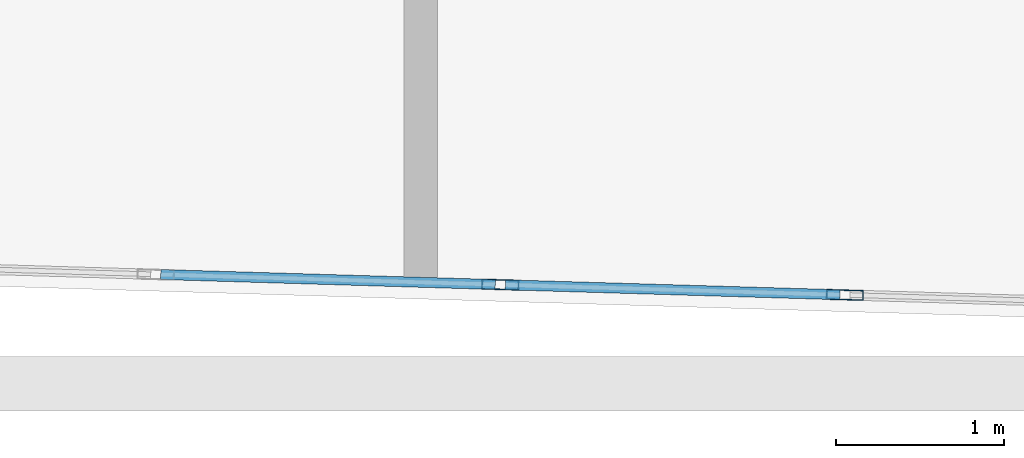
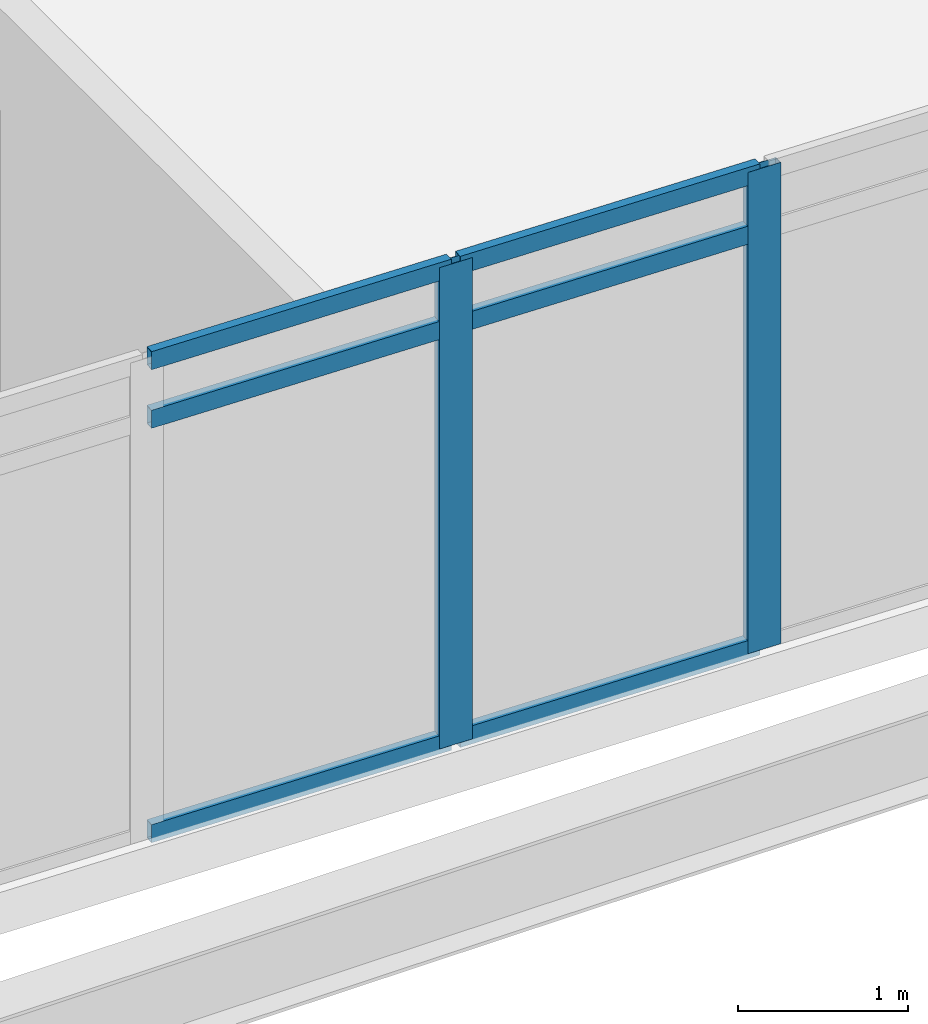
# One storey, part 5 of 37: 8 members, 1 element without a shape of its own.
"""IFC4 building model written with IfcOpenShell, lengths in metres."""

import ifcopenshell
import ifcopenshell.guid

model = None  # the IFC model being written
_history = None  # IfcOwnerHistory: only IFC2X3 demands one
_inside = {}  # id of a spatial element -> (the spatial element, [elements in it])
_under = {}  # id of a project, library or spatial element -> (it, [spatial elements below it])
_declared = {}  # id of a project -> (the project, [libraries it declares])
_typed = {}  # id of a type object -> (the type object, [elements of that type])
_made_of = {}  # id of a material, layer set ... -> (it, [elements and type objects made of it])


def new_model(schema):
    """Start an empty IFC model of exactly this schema.

    Asked for "IFC4X3", IfcOpenShell would pick the latest addendum, in which some entities
    have other attributes; the version numbers below select the first issue.
    IFC2X3 requires an IfcOwnerHistory on every rooted entity: one is made here for all.
    """
    global model, _history
    if schema == "IFC4X3":
        model = ifcopenshell.file(schema_version=(4, 3, 0, 0))
    else:
        model = ifcopenshell.file(schema=schema)
    _inside.clear()
    _under.clear()
    _declared.clear()
    _typed.clear()
    _made_of.clear()
    _history = None
    if model.schema == "IFC2X3":
        org = make("IfcOrganization", Name="unknown")
        user = make(
            "IfcPersonAndOrganization",
            ThePerson=make("IfcPerson", FamilyName="unknown"),
            TheOrganization=org,
        )
        app = make(
            "IfcApplication",
            ApplicationDeveloper=org,
            Version="unknown",
            ApplicationFullName="unknown",
            ApplicationIdentifier="unknown",
        )
        _history = make(
            "IfcOwnerHistory",
            OwningUser=user,
            OwningApplication=app,
            ChangeAction="ADDED",
            CreationDate=0,
        )
    return model


def make(cls, **values):
    """One entity of the class cls with the attributes given. An attribute that is None is left unset."""
    return model.create_entity(
        cls, **{name: value for name, value in values.items() if value is not None}
    )


def rooted(cls, **values):
    """An entity with a GlobalId (a new one), such as an element, a storey or a relation."""
    return make(cls, GlobalId=ifcopenshell.guid.new(), OwnerHistory=_history, **values)


def si_unit(unit_type, name, prefix=None):
    """IfcSIUnit, for example si_unit("LENGTHUNIT", "METRE", prefix="MILLI")."""
    return make("IfcSIUnit", UnitType=unit_type, Prefix=prefix, Name=name)


def assignment(units):
    """IfcUnitAssignment: the units of a project."""
    return None if units is None else make("IfcUnitAssignment", Units=units)


def point(xyz):
    """IfcCartesianPoint."""
    return None if xyz is None else make("IfcCartesianPoint", Coordinates=xyz)


def direction(xyz):
    """IfcDirection."""
    return None if xyz is None else make("IfcDirection", DirectionRatios=xyz)


def frame(location, z_axis=None, x_axis=None):
    """IfcAxis2Placement3D, a coordinate frame: its origin and axes. An axis left out is left unset."""
    return make(
        "IfcAxis2Placement3D",
        Location=point(location),
        Axis=direction(z_axis),
        RefDirection=direction(x_axis),
    )


def frame_2d(location, x_axis=None):
    """IfcAxis2Placement2D, a coordinate frame in the plane: its origin and x axis."""
    return make(
        "IfcAxis2Placement2D", Location=point(location), RefDirection=direction(x_axis)
    )


def origin():
    """The frame at (0, 0, 0) with its axes left unset."""
    return frame((0.0, 0.0, 0.0))


def origin_2d():
    """The frame at (0, 0) in the plane with its x axis left unset."""
    return frame_2d((0.0, 0.0))


def place(relative_to, where):
    """IfcLocalPlacement: puts the frame where relative to a parent placement (None: the world)."""
    return make(
        "IfcLocalPlacement", PlacementRelTo=relative_to, RelativePlacement=where
    )


def context(
    kind, dimensions, precision=None, world=None, true_north=None, identifier=None
):
    """IfcGeometricRepresentationContext, for example the 3D "Model" context."""
    return make(
        "IfcGeometricRepresentationContext",
        ContextIdentifier=identifier,
        ContextType=kind,
        CoordinateSpaceDimension=dimensions,
        Precision=precision,
        WorldCoordinateSystem=world,
        TrueNorth=true_north,
    )


def subcontext(parent, identifier, kind, view, scale=None):
    """IfcGeometricRepresentationSubContext, for example "Body" below "Model"."""
    return make(
        "IfcGeometricRepresentationSubContext",
        ContextIdentifier=identifier,
        ContextType=kind,
        ParentContext=parent,
        TargetScale=scale,
        TargetView=view,
    )


def project(units=None, contexts=None):
    """IfcProject with its units and contexts."""
    return rooted(
        "IfcProject",
        Name="project",
        RepresentationContexts=contexts,
        UnitsInContext=assignment(units),
    )


def spatial(cls, under=None, at=None, **own):
    """A site, building, storey or space (cls), placed at a placement, below another one or the project."""
    s = rooted(cls, ObjectPlacement=at, **own)
    if under is not None:
        _under.setdefault(under.id(), (under, []))[1].append(s)
    return s


def profile(cls, at=None, kind="AREA", **sizes):
    """A parametric profile (cls). Its sizes go by their IFC names, for example OverallWidth=200.0."""
    return make(cls, ProfileType=kind, Position=at, **sizes)


def hollow_rectangle(**sizes):
    """IfcRectangleHollowProfileDef."""
    return profile("IfcRectangleHollowProfileDef", **sizes)


def extrude(swept, where, along, depth):
    """IfcExtrudedAreaSolid: the profile swept, set in the frame where, extruded along a direction by depth."""
    return make(
        "IfcExtrudedAreaSolid",
        SweptArea=swept,
        Position=where,
        ExtrudedDirection=direction(along),
        Depth=depth,
    )


def shape(context_of_items, identifier, shape_type, items):
    """IfcShapeRepresentation: the items that make up one representation, for example the "Body"."""
    return make(
        "IfcShapeRepresentation",
        ContextOfItems=context_of_items,
        RepresentationIdentifier=identifier,
        RepresentationType=shape_type,
        Items=items,
    )


def material(Name=None, Category=None):
    """IfcMaterial."""
    return make("IfcMaterial", Name=Name, Category=Category)


def material_profile(
    of_material, cross_section, Name=None, Category=None, Priority=None
):
    """IfcMaterialProfile: a cross section and its material."""
    return make(
        "IfcMaterialProfile",
        Name=Name,
        Material=of_material,
        Profile=cross_section,
        Priority=Priority,
        Category=Category,
    )


def profile_set(profiles, Name=None, composite=None):
    """IfcMaterialProfileSet."""
    return make(
        "IfcMaterialProfileSet",
        Name=Name,
        MaterialProfiles=profiles,
        CompositeProfile=composite,
    )


def made_of(thing, what):
    """Note that an element or type object is made of a material, layer set ...; save() writes the relation."""
    if what is not None:
        _made_of.setdefault(what.id(), (what, []))[1].append(thing)
    return thing


def type_object(cls, material=None, **own):
    """A type object (cls), such as IfcWallType, which elements share."""
    return made_of(rooted(cls, **own), material)


def element(
    cls,
    number,
    at=None,
    inside=None,
    cuts=None,
    type_object=None,
    material=None,
    context=None,
    identifier="Body",
    shape_type=None,
    held_by="IfcProductDefinitionShape",
    body=None,
    shapes=None,
    **own,
):
    """One element of the class cls, such as IfcWall. Its Tag is "e" and its number.

    at: its placement. inside: the storey or other place that contains it. cuts: it is an
    opening in that element (IfcRelVoidsElement). A single representation is given by context,
    identifier, shape_type and body (its items); several are given by shapes. held_by: the class
    of the entity that holds the representations. save() writes the other relations.
    """
    e = rooted(cls, Tag="e%d" % number, ObjectPlacement=at, **own)
    if body is not None:
        shapes = [shape(context, identifier, shape_type, body)]
    if shapes is not None:
        e.Representation = make(held_by, Representations=shapes)
    if inside is not None:
        _inside.setdefault(inside.id(), (inside, []))[1].append(e)
    if cuts is not None:
        rooted(
            "IfcRelVoidsElement", RelatingBuildingElement=cuts, RelatedOpeningElement=e
        )
    if type_object is not None:
        _typed.setdefault(type_object.id(), (type_object, []))[1].append(e)
    return made_of(e, material)


def aggregate(whole, parts):
    """IfcRelAggregates: a whole, such as a stair, and the parts it consists of."""
    return rooted("IfcRelAggregates", RelatingObject=whole, RelatedObjects=parts)


def save(model, path):
    """Write the relations noted so far, then the file.

    IfcRelAggregates (storeys below a building ...), IfcRelContainedInSpatialStructure (elements
    in a storey), IfcRelDefinesByType, IfcRelAssociatesMaterial and IfcRelDeclares: one each for
    every whole, place, type object, material and project.
    """
    for whole, parts in _under.values():
        aggregate(whole, parts)
    for where, things in _inside.values():
        rooted(
            "IfcRelContainedInSpatialStructure",
            RelatedElements=things,
            RelatingStructure=where,
        )
    for kind, things in _typed.values():
        rooted("IfcRelDefinesByType", RelatedObjects=things, RelatingType=kind)
    for what, things in _made_of.values():
        rooted("IfcRelAssociatesMaterial", RelatedObjects=things, RelatingMaterial=what)
    for by, libraries in _declared.values():
        rooted("IfcRelDeclares", RelatingContext=by, RelatedDefinitions=libraries)
    model.write(path)


model = new_model("IFC4")

# Units and contexts
model_context = context("Model", 3, precision=1e-05, world=origin(), true_north=direction((0.0, 1.0)))
body_context = subcontext(model_context, "Body", "Model", "MODEL_VIEW")
ifc_project = project(units=[si_unit("LENGTHUNIT", "METRE"), si_unit("AREAUNIT", "SQUARE_METRE"), si_unit("VOLUMEUNIT", "CUBIC_METRE"), si_unit("PLANEANGLEUNIT", "RADIAN"), si_unit("MASSUNIT", "GRAM", prefix="KILO")], contexts=[model_context])

# Site, building, storey
site_placement = place(None, origin())
site = spatial("IfcSite", under=ifc_project, at=site_placement, CompositionType="ELEMENT")
building_placement = place(site_placement, origin())
building = spatial("IfcBuilding", under=site, at=building_placement, Name="Ostrander Bayou Hotel Tower", CompositionType="ELEMENT")
storey_placement = place(building_placement, frame((0.0, 0.0, 93.0)))
storey = spatial("IfcBuildingStorey", under=building, at=storey_placement, Name="L23", CompositionType="ELEMENT", Elevation=93.0)

# Curtain wall, members
ifc_material_1 = material(Name="Aluminium and clear glass", Category="aluminium")
curtain_wall_type = type_object("IfcCurtainWallType", Name="CW-BAR glazed wall", PredefinedType="NOTDEFINED", material=ifc_material_1)
curtain_wall_placement = place(storey_placement, origin())
curtain_wall = element("IfcCurtainWall", 1, at=curtain_wall_placement, inside=storey, type_object=curtain_wall_type, Name="CW-BAR L23:SB2S:T", PredefinedType="NOTDEFINED")
ifc_material_2 = material(Name="Aluminium", Category="aluminium")
ifc_material_profile_1 = material_profile(ifc_material_2, hollow_rectangle(XDim=0.06005859375, YDim=0.219970703125, WallThickness=0.00390625, at=origin_2d()))
ifc_profile_set_1 = profile_set([ifc_material_profile_1], Name="Aluminium")
member_type_1 = type_object("IfcMemberType", Name="CW-BR mullion 60 x 220 mm", PredefinedType="MULLION", material=ifc_profile_set_1)
member_1_placement = place(storey_placement, frame((-3.084716796875, -31.608154296875, 0.0), z_axis=(0.0, 0.0, 1.0), x_axis=(0.029746242041, 0.999557482631, 0.0)))
member_1 = element("IfcMember", 2, at=member_1_placement, type_object=member_type_1, Name="CW-BAR mullion 6", PredefinedType="MULLION", context=body_context, shape_type="SweptSolid", body=[
    extrude(hollow_rectangle(XDim=0.06005859375, YDim=0.219970703125, WallThickness=0.00390625, at=origin_2d()), origin(), (0.0, 0.0, 1.0), 3.449951171875),
])
member_2_placement = place(storey_placement, frame((-1.0283203125, -31.66943359375, 0.0), z_axis=(0.0, 0.0, 1.0), x_axis=(0.029746242041, 0.999557482631, 0.0)))
member_2 = element("IfcMember", 3, at=member_2_placement, type_object=member_type_1, Name="CW-BAR mullion 7", PredefinedType="MULLION", context=body_context, shape_type="SweptSolid", body=[
    extrude(hollow_rectangle(XDim=0.06005859375, YDim=0.219970703125, WallThickness=0.00390625, at=origin_2d()), origin(), (0.0, 0.0, 1.0), 3.449951171875),
])
ifc_material_3 = material(Name="Aluminium", Category="aluminium")
ifc_material_profile_2 = material_profile(ifc_material_3, hollow_rectangle(XDim=0.06005859375, YDim=0.1298828125, WallThickness=0.00390625, at=origin_2d()))
ifc_profile_set_2 = profile_set([ifc_material_profile_2], Name="Aluminium")
member_type_2 = type_object("IfcMemberType", Name="CW-BR transom 60 x 130 mm", PredefinedType="USERDEFINED", material=ifc_profile_set_2)
member_3_placement = place(storey_placement, frame((-5.111328125, -31.5478515625, 0.030029296875), z_axis=(0.999555199151, -0.029822874614, 0.0), x_axis=(0.029822874614, 0.999555199151, 0.0)))
member_3 = element("IfcMember", 4, at=member_3_placement, type_object=member_type_2, Name="CW-BAR transom 5.1", ObjectType="TRANSOM", PredefinedType="USERDEFINED", context=body_context, shape_type="SweptSolid", body=[
    extrude(hollow_rectangle(XDim=0.06005859375, YDim=0.1298828125, WallThickness=0.00390625, at=origin_2d()), origin(), (0.0, 0.0, 1.0), 1.99755859375),
])
member_4_placement = place(storey_placement, frame((-5.111328125, -31.5478515625, 3.0), z_axis=(0.999555199151, -0.029822874614, 0.0), x_axis=(0.029822874614, 0.999555199151, 0.0)))
member_4 = element("IfcMember", 5, at=member_4_placement, type_object=member_type_2, Name="CW-BAR transom 5.2", ObjectType="TRANSOM", PredefinedType="USERDEFINED", context=body_context, shape_type="SweptSolid", body=[
    extrude(hollow_rectangle(XDim=0.06005859375, YDim=0.1298828125, WallThickness=0.00390625, at=origin_2d()), origin(), (0.0, 0.0, 1.0), 1.99755859375),
])
member_5_placement = place(storey_placement, frame((-5.111328125, -31.5478515625, 3.419921875), z_axis=(0.999555199151, -0.029822874614, 0.0), x_axis=(0.029822874614, 0.999555199151, 0.0)))
member_5 = element("IfcMember", 6, at=member_5_placement, type_object=member_type_2, Name="CW-BAR transom 5.3", ObjectType="TRANSOM", PredefinedType="USERDEFINED", context=body_context, shape_type="SweptSolid", body=[
    extrude(hollow_rectangle(XDim=0.06005859375, YDim=0.1298828125, WallThickness=0.00390625, at=origin_2d()), origin(), (0.0, 0.0, 1.0), 1.99755859375),
])
member_6_placement = place(storey_placement, frame((-3.0546875, -31.609130859375, 0.030029296875), z_axis=(0.999558727342, -0.029704386785, 0.0), x_axis=(0.029704386785, 0.999558727342, 0.0)))
member_6 = element("IfcMember", 7, at=member_6_placement, type_object=member_type_2, Name="CW-BAR transom 6.1", ObjectType="TRANSOM", PredefinedType="USERDEFINED", context=body_context, shape_type="SweptSolid", body=[
    extrude(hollow_rectangle(XDim=0.06005859375, YDim=0.1298828125, WallThickness=0.00390625, at=origin_2d()), origin(), (0.0, 0.0, 1.0), 1.997314453125),
])
member_7_placement = place(storey_placement, frame((-3.0546875, -31.609130859375, 3.0), z_axis=(0.999558727342, -0.029704386785, 0.0), x_axis=(0.029704386785, 0.999558727342, 0.0)))
member_7 = element("IfcMember", 8, at=member_7_placement, type_object=member_type_2, Name="CW-BAR transom 6.2", ObjectType="TRANSOM", PredefinedType="USERDEFINED", context=body_context, shape_type="SweptSolid", body=[
    extrude(hollow_rectangle(XDim=0.06005859375, YDim=0.1298828125, WallThickness=0.00390625, at=origin_2d()), origin(), (0.0, 0.0, 1.0), 1.997314453125),
])
member_8_placement = place(storey_placement, frame((-3.0546875, -31.609130859375, 3.419921875), z_axis=(0.999558727342, -0.029704386785, 0.0), x_axis=(0.029704386785, 0.999558727342, 0.0)))
member_8 = element("IfcMember", 9, at=member_8_placement, type_object=member_type_2, Name="CW-BAR transom 6.3", ObjectType="TRANSOM", PredefinedType="USERDEFINED", context=body_context, shape_type="SweptSolid", body=[
    extrude(hollow_rectangle(XDim=0.06005859375, YDim=0.1298828125, WallThickness=0.00390625, at=origin_2d()), origin(), (0.0, 0.0, 1.0), 1.997314453125),
])
aggregate(curtain_wall, [member_1, member_2, member_3, member_4, member_5, member_6, member_7, member_8])

save(model, "model.ifc")
